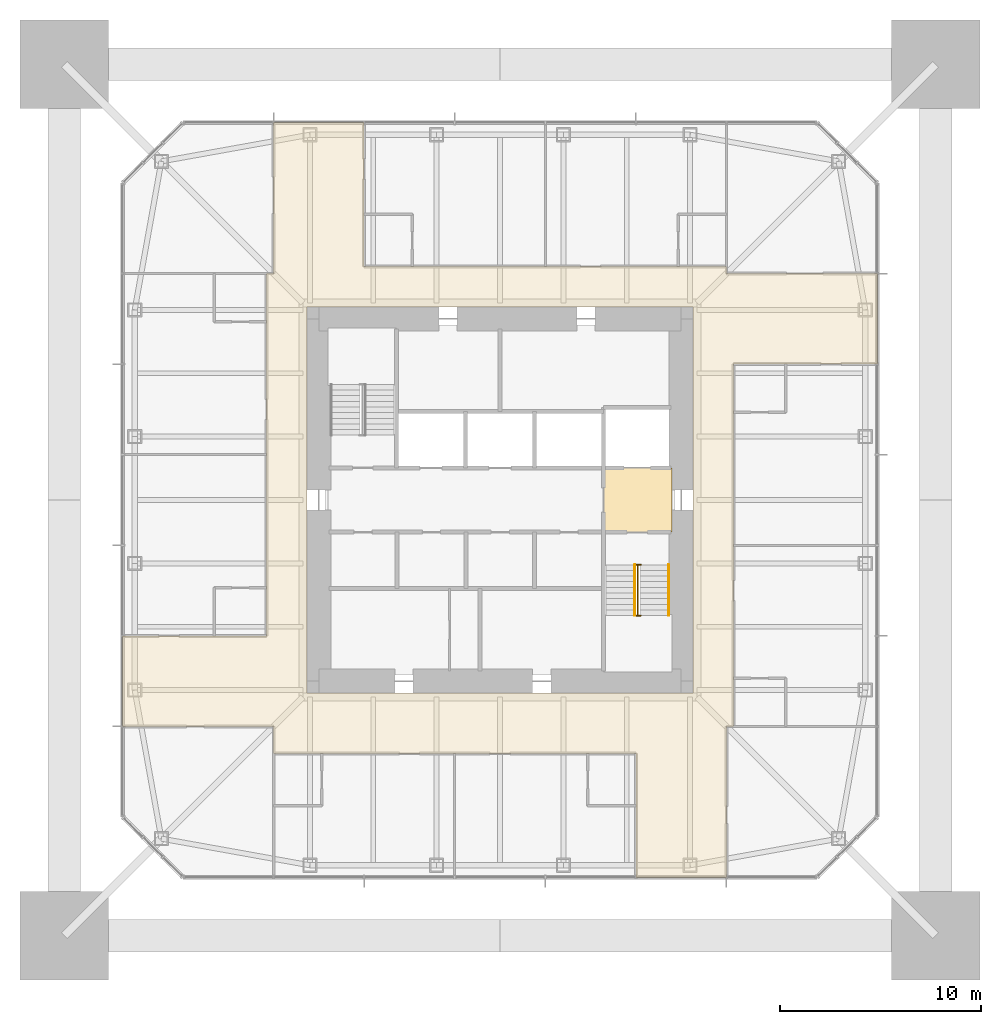
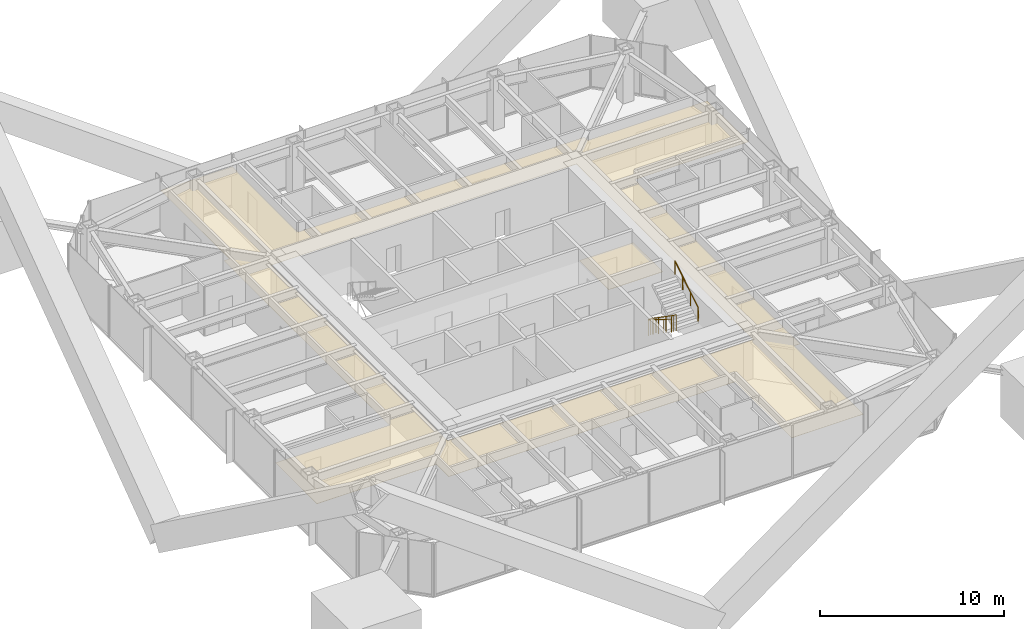
# One storey, part 12 of 13: 3 railings, 2 coverings.
"""IFC4 building model written with IfcOpenShell, lengths in metres."""

import ifcopenshell
import ifcopenshell.guid

model = None  # the IFC model being written
_history = None  # IfcOwnerHistory: only IFC2X3 demands one
_inside = {}  # id of a spatial element -> (the spatial element, [elements in it])
_under = {}  # id of a project, library or spatial element -> (it, [spatial elements below it])
_declared = {}  # id of a project -> (the project, [libraries it declares])
_typed = {}  # id of a type object -> (the type object, [elements of that type])
_made_of = {}  # id of a material, layer set ... -> (it, [elements and type objects made of it])


def new_model(schema):
    """Start an empty IFC model of exactly this schema.

    Asked for "IFC4X3", IfcOpenShell would pick the latest addendum, in which some entities
    have other attributes; the version numbers below select the first issue.
    IFC2X3 requires an IfcOwnerHistory on every rooted entity: one is made here for all.
    """
    global model, _history
    if schema == "IFC4X3":
        model = ifcopenshell.file(schema_version=(4, 3, 0, 0))
    else:
        model = ifcopenshell.file(schema=schema)
    _inside.clear()
    _under.clear()
    _declared.clear()
    _typed.clear()
    _made_of.clear()
    _history = None
    if model.schema == "IFC2X3":
        org = make("IfcOrganization", Name="unknown")
        user = make(
            "IfcPersonAndOrganization",
            ThePerson=make("IfcPerson", FamilyName="unknown"),
            TheOrganization=org,
        )
        app = make(
            "IfcApplication",
            ApplicationDeveloper=org,
            Version="unknown",
            ApplicationFullName="unknown",
            ApplicationIdentifier="unknown",
        )
        _history = make(
            "IfcOwnerHistory",
            OwningUser=user,
            OwningApplication=app,
            ChangeAction="ADDED",
            CreationDate=0,
        )
    return model


def make(cls, **values):
    """One entity of the class cls with the attributes given. An attribute that is None is left unset."""
    return model.create_entity(
        cls, **{name: value for name, value in values.items() if value is not None}
    )


def rooted(cls, **values):
    """An entity with a GlobalId (a new one), such as an element, a storey or a relation."""
    return make(cls, GlobalId=ifcopenshell.guid.new(), OwnerHistory=_history, **values)


def si_unit(unit_type, name, prefix=None):
    """IfcSIUnit, for example si_unit("LENGTHUNIT", "METRE", prefix="MILLI")."""
    return make("IfcSIUnit", UnitType=unit_type, Prefix=prefix, Name=name)


def assignment(units):
    """IfcUnitAssignment: the units of a project."""
    return None if units is None else make("IfcUnitAssignment", Units=units)


def point(xyz):
    """IfcCartesianPoint."""
    return None if xyz is None else make("IfcCartesianPoint", Coordinates=xyz)


def direction(xyz):
    """IfcDirection."""
    return None if xyz is None else make("IfcDirection", DirectionRatios=xyz)


def frame(location, z_axis=None, x_axis=None):
    """IfcAxis2Placement3D, a coordinate frame: its origin and axes. An axis left out is left unset."""
    return make(
        "IfcAxis2Placement3D",
        Location=point(location),
        Axis=direction(z_axis),
        RefDirection=direction(x_axis),
    )


def frame_2d(location, x_axis=None):
    """IfcAxis2Placement2D, a coordinate frame in the plane: its origin and x axis."""
    return make(
        "IfcAxis2Placement2D", Location=point(location), RefDirection=direction(x_axis)
    )


def origin():
    """The frame at (0, 0, 0) with its axes left unset."""
    return frame((0.0, 0.0, 0.0))


def origin_2d():
    """The frame at (0, 0) in the plane with its x axis left unset."""
    return frame_2d((0.0, 0.0))


def place(relative_to, where):
    """IfcLocalPlacement: puts the frame where relative to a parent placement (None: the world)."""
    return make(
        "IfcLocalPlacement", PlacementRelTo=relative_to, RelativePlacement=where
    )


def context(
    kind, dimensions, precision=None, world=None, true_north=None, identifier=None
):
    """IfcGeometricRepresentationContext, for example the 3D "Model" context."""
    return make(
        "IfcGeometricRepresentationContext",
        ContextIdentifier=identifier,
        ContextType=kind,
        CoordinateSpaceDimension=dimensions,
        Precision=precision,
        WorldCoordinateSystem=world,
        TrueNorth=true_north,
    )


def subcontext(parent, identifier, kind, view, scale=None):
    """IfcGeometricRepresentationSubContext, for example "Body" below "Model"."""
    return make(
        "IfcGeometricRepresentationSubContext",
        ContextIdentifier=identifier,
        ContextType=kind,
        ParentContext=parent,
        TargetScale=scale,
        TargetView=view,
    )


def project(units=None, contexts=None):
    """IfcProject with its units and contexts."""
    return rooted(
        "IfcProject",
        Name="project",
        RepresentationContexts=contexts,
        UnitsInContext=assignment(units),
    )


def spatial(cls, under=None, at=None, **own):
    """A site, building, storey or space (cls), placed at a placement, below another one or the project."""
    s = rooted(cls, ObjectPlacement=at, **own)
    if under is not None:
        _under.setdefault(under.id(), (under, []))[1].append(s)
    return s


def polyline(points):
    """IfcPolyline through the points."""
    return make("IfcPolyline", Points=[point(p) for p in points])


def profile(cls, at=None, kind="AREA", **sizes):
    """A parametric profile (cls). Its sizes go by their IFC names, for example OverallWidth=200.0."""
    return make(cls, ProfileType=kind, Position=at, **sizes)


def circle(**sizes):
    """IfcCircleProfileDef."""
    return profile("IfcCircleProfileDef", **sizes)


def outline(outer, holes=None, kind="AREA"):
    """IfcArbitraryClosedProfileDef: a profile drawn as a closed curve; with holes, ...WithVoids."""
    if holes is None:
        return make("IfcArbitraryClosedProfileDef", ProfileType=kind, OuterCurve=outer)
    return make(
        "IfcArbitraryProfileDefWithVoids",
        ProfileType=kind,
        OuterCurve=outer,
        InnerCurves=holes,
    )


def extrude(swept, where, along, depth):
    """IfcExtrudedAreaSolid: the profile swept, set in the frame where, extruded along a direction by depth."""
    return make(
        "IfcExtrudedAreaSolid",
        SweptArea=swept,
        Position=where,
        ExtrudedDirection=direction(along),
        Depth=depth,
    )


def shape(context_of_items, identifier, shape_type, items):
    """IfcShapeRepresentation: the items that make up one representation, for example the "Body"."""
    return make(
        "IfcShapeRepresentation",
        ContextOfItems=context_of_items,
        RepresentationIdentifier=identifier,
        RepresentationType=shape_type,
        Items=items,
    )


def material(Name=None, Category=None):
    """IfcMaterial."""
    return make("IfcMaterial", Name=Name, Category=Category)


def layer(
    of_material, thickness, ventilated=None, Name=None, Category=None, Priority=None
):
    """IfcMaterialLayer: one layer of a wall or slab, of a material (None: an air gap)."""
    return make(
        "IfcMaterialLayer",
        Material=of_material,
        LayerThickness=thickness,
        IsVentilated=ventilated,
        Name=Name,
        Category=Category,
        Priority=Priority,
    )


def layer_set(layers, Name=None):
    """IfcMaterialLayerSet."""
    return make("IfcMaterialLayerSet", MaterialLayers=layers, LayerSetName=Name)


def constituent(of_material, Name=None, Category=None, fraction=None):
    """IfcMaterialConstituent: one of the materials an element consists of."""
    return make(
        "IfcMaterialConstituent",
        Name=Name,
        Material=of_material,
        Fraction=fraction,
        Category=Category,
    )


def constituent_set(constituents=None, Name=None):
    """IfcMaterialConstituentSet."""
    return make(
        "IfcMaterialConstituentSet", Name=Name, MaterialConstituents=constituents
    )


def made_of(thing, what):
    """Note that an element or type object is made of a material, layer set ...; save() writes the relation."""
    if what is not None:
        _made_of.setdefault(what.id(), (what, []))[1].append(thing)
    return thing


def type_object(cls, material=None, **own):
    """A type object (cls), such as IfcWallType, which elements share."""
    return made_of(rooted(cls, **own), material)


def element(
    cls,
    number,
    at=None,
    inside=None,
    cuts=None,
    type_object=None,
    material=None,
    context=None,
    identifier="Body",
    shape_type=None,
    held_by="IfcProductDefinitionShape",
    body=None,
    shapes=None,
    **own,
):
    """One element of the class cls, such as IfcWall. Its Tag is "e" and its number.

    at: its placement. inside: the storey or other place that contains it. cuts: it is an
    opening in that element (IfcRelVoidsElement). A single representation is given by context,
    identifier, shape_type and body (its items); several are given by shapes. held_by: the class
    of the entity that holds the representations. save() writes the other relations.
    """
    e = rooted(cls, Tag="e%d" % number, ObjectPlacement=at, **own)
    if body is not None:
        shapes = [shape(context, identifier, shape_type, body)]
    if shapes is not None:
        e.Representation = make(held_by, Representations=shapes)
    if inside is not None:
        _inside.setdefault(inside.id(), (inside, []))[1].append(e)
    if cuts is not None:
        rooted(
            "IfcRelVoidsElement", RelatingBuildingElement=cuts, RelatedOpeningElement=e
        )
    if type_object is not None:
        _typed.setdefault(type_object.id(), (type_object, []))[1].append(e)
    return made_of(e, material)


def aggregate(whole, parts):
    """IfcRelAggregates: a whole, such as a stair, and the parts it consists of."""
    return rooted("IfcRelAggregates", RelatingObject=whole, RelatedObjects=parts)


def save(model, path):
    """Write the relations noted so far, then the file.

    IfcRelAggregates (storeys below a building ...), IfcRelContainedInSpatialStructure (elements
    in a storey), IfcRelDefinesByType, IfcRelAssociatesMaterial and IfcRelDeclares: one each for
    every whole, place, type object, material and project.
    """
    for whole, parts in _under.values():
        aggregate(whole, parts)
    for where, things in _inside.values():
        rooted(
            "IfcRelContainedInSpatialStructure",
            RelatedElements=things,
            RelatingStructure=where,
        )
    for kind, things in _typed.values():
        rooted("IfcRelDefinesByType", RelatedObjects=things, RelatingType=kind)
    for what, things in _made_of.values():
        rooted("IfcRelAssociatesMaterial", RelatedObjects=things, RelatingMaterial=what)
    for by, libraries in _declared.values():
        rooted("IfcRelDeclares", RelatingContext=by, RelatedDefinitions=libraries)
    model.write(path)


model = new_model("IFC4")

# Units and contexts
model_context = context("Model", 3, precision=1e-05, world=origin(), true_north=direction((0.0, 1.0)))
body_context = subcontext(model_context, "Body", "Model", "MODEL_VIEW")
ifc_project = project(units=[si_unit("LENGTHUNIT", "METRE"), si_unit("AREAUNIT", "SQUARE_METRE"), si_unit("VOLUMEUNIT", "CUBIC_METRE"), si_unit("PLANEANGLEUNIT", "RADIAN"), si_unit("MASSUNIT", "GRAM", prefix="KILO")], contexts=[model_context])

# Site, building, storey
site_placement = place(None, origin())
site = spatial("IfcSite", under=ifc_project, at=site_placement, CompositionType="ELEMENT")
building_placement = place(site_placement, origin())
building = spatial("IfcBuilding", under=site, at=building_placement, Name="Iwan Alto Co-Living Towers", CompositionType="ELEMENT")
storey_placement = place(building_placement, frame((0.0, 0.0, 198.5)))
storey = spatial("IfcBuildingStorey", under=building, at=storey_placement, Name="L54", CompositionType="ELEMENT", Elevation=198.5)

# Covering
ifc_material_1 = material(Name="Mineral fibre acoustic tiles on steel grid", Category="steel")
ifc_layer_1 = layer(ifc_material_1, 0.02001953125)
ifc_layer_set_1 = layer_set([ifc_layer_1], Name="ACOUSTIC TILE CEILING 20")
covering_type_1 = type_object("IfcCoveringType", Name="ACOUSTIC TILE CEILING 20", PredefinedType="CEILING", material=ifc_layer_set_1)
covering_1_placement = place(storey_placement, frame((0.0, 0.0, 2.60009765625)))
element("IfcCovering", 1, at=covering_1_placement, inside=storey, type_object=covering_type_1, Name="Ceiling Firefighting lobby L54", PredefinedType="CEILING", context=body_context, shape_type="SweptSolid", body=[
    extrude(outline(polyline([(5.14990234375, -1.60009765625), (5.14990234375, 1.60009765625), (8.550048828125, 1.60009765625), (8.550048828125, -1.60009765625), (5.14990234375, -1.60009765625)])), origin(), (0.0, 0.0, 1.0), 0.02001953125),
])

# Railings
ifc_material_2 = material(Name="Steel ASTM A500 Gr C", Category="steel")
ifc_constituent_1 = constituent(ifc_material_2, Name="Rails and posts", Category="Framing")
ifc_material_3 = material(Name="Steel ASTM A36", Category="steel")
ifc_constituent_2 = constituent(ifc_material_3, Name="Bar infill", Category="Infill")
ifc_constituent_set = constituent_set(constituents=[ifc_constituent_1, ifc_constituent_2], Name="STAIR GUARD 1100")
railing_type_1 = type_object("IfcRailingType", Name="STAIR GUARD 1100", PredefinedType="GUARDRAIL", material=ifc_constituent_set)
railing_1_placement = place(storey_placement, frame((6.85009765625, -3.219970703125, 0.0)))
element("IfcRailing", 2, at=railing_1_placement, inside=storey, type_object=railing_type_1, Name="Stair T1-S2 well guard L54", PredefinedType="GUARDRAIL", context=body_context, shape_type="SweptSolid", body=[
    extrude(circle(Radius=0.02392578125, at=origin_2d()), frame((0.0, 0.0, 1.076171875), z_axis=(0.0, -0.821372036852, 0.570392826987), x_axis=(1.0, 0.0, 0.0)), (0.0, 0.0, 1.0), 3.068115234375),
    extrude(circle(Radius=0.02392578125, at=origin_2d()), frame((-0.150146484375, 0.0, 1.076171875), z_axis=(1.0, 0.0, 0.0), x_axis=(0.0, 1.0, 0.0)), (0.0, 0.0, 1.0), 0.300048828125),
    extrude(circle(Radius=0.02392578125, at=origin_2d()), frame((-0.150146484375, -2.52001953125, 2.826171875), z_axis=(1.0, 0.0, 0.0), x_axis=(0.0, 1.0, 0.0)), (0.0, 0.0, 1.0), 0.300048828125),
    extrude(circle(Radius=0.02099609375, at=origin_2d()), origin(), (0.0, 0.0, 1.0), 1.052001953125),
    extrude(circle(Radius=0.02099609375, at=origin_2d()), frame((0.0, -0.840087890625, 0.583251953125)), (0.0, 0.0, 1.0), 1.052001953125),
    extrude(circle(Radius=0.02099609375, at=origin_2d()), frame((0.0, -1.679931640625, 1.166748046875)), (0.0, 0.0, 1.0), 1.052001953125),
    extrude(circle(Radius=0.02099609375, at=origin_2d()), frame((0.0, -2.52001953125, 1.75)), (0.0, 0.0, 1.0), 1.052001953125),
    extrude(circle(Radius=0.02099609375, at=origin_2d()), frame((-0.150146484375, 0.0, 0.0)), (0.0, 0.0, 1.0), 1.052001953125),
    extrude(circle(Radius=0.02099609375, at=origin_2d()), frame((0.14990234375, 0.0, 0.0)), (0.0, 0.0, 1.0), 1.052001953125),
    extrude(circle(Radius=0.02099609375, at=origin_2d()), frame((-0.150146484375, -2.52001953125, 1.75)), (0.0, 0.0, 1.0), 1.052001953125),
    extrude(circle(Radius=0.02099609375, at=origin_2d()), frame((0.14990234375, -2.52001953125, 1.75)), (0.0, 0.0, 1.0), 1.052001953125),
])
ifc_material_4 = material(Name="Steel ASTM A500 Gr C", Category="steel")
railing_type_2 = type_object("IfcRailingType", Name="STAIR HANDRAIL 900", PredefinedType="HANDRAIL", material=ifc_material_4)
railing_2_placement = place(storey_placement, frame((6.699951171875, -3.219970703125, 0.175048828125)))
element("IfcRailing", 3, at=railing_2_placement, inside=storey, type_object=railing_type_2, Name="Stair T1-S2 handrail 1 L54", PredefinedType="HANDRAIL", context=body_context, shape_type="SweptSolid", body=[
    extrude(circle(Radius=0.02392578125, at=origin_2d()), frame((0.0, 0.0, 0.8759765625), z_axis=(0.0, -0.848007534815, 0.529984170421), x_axis=(1.0, 0.0, 0.0)), (0.0, 0.0, 1.0), 2.9716796875),
    extrude(circle(Radius=0.02099609375, at=origin_2d()), origin(), (0.0, 0.0, 1.0), 0.851806640625),
    extrude(circle(Radius=0.02099609375, at=origin_2d()), frame((0.0, -0.840087890625, 0.52490234375)), (0.0, 0.0, 1.0), 0.851806640625),
    extrude(circle(Radius=0.02099609375, at=origin_2d()), frame((0.0, -1.679931640625, 1.050048828125)), (0.0, 0.0, 1.0), 0.851806640625),
    extrude(circle(Radius=0.02099609375, at=origin_2d()), frame((0.0, -2.52001953125, 1.574951171875)), (0.0, 0.0, 1.0), 0.851806640625),
])
railing_3_placement = place(storey_placement, frame((8.3798828125, -5.739990234375, 1.925048828125)))
element("IfcRailing", 4, at=railing_3_placement, inside=storey, type_object=railing_type_2, Name="Stair T1-S2 handrail 2 L54", PredefinedType="HANDRAIL", context=body_context, shape_type="SweptSolid", body=[
    extrude(circle(Radius=0.02392578125, at=origin_2d()), frame((0.0, 0.0, 0.8759765625), z_axis=(0.0, 0.848007534815, 0.529984170421), x_axis=(-1.0, 0.0, 0.0)), (0.0, 0.0, 1.0), 2.9716796875),
    extrude(circle(Radius=0.02099609375, at=origin_2d()), origin(), (0.0, 0.0, 1.0), 0.851806640625),
    extrude(circle(Radius=0.02099609375, at=origin_2d()), frame((0.0, 0.840087890625, 0.52490234375)), (0.0, 0.0, 1.0), 0.851806640625),
    extrude(circle(Radius=0.02099609375, at=origin_2d()), frame((0.0, 1.679931640625, 1.050048828125)), (0.0, 0.0, 1.0), 0.851806640625),
    extrude(circle(Radius=0.02099609375, at=origin_2d()), frame((0.0, 2.52001953125, 1.574951171875)), (0.0, 0.0, 1.0), 0.851806640625),
])

# Covering
ifc_material_5 = material(Name="Gypsum plasterboard on steel grid", Category="steel")
ifc_layer_2 = layer(ifc_material_5, 0.014892578125)
ifc_layer_set_2 = layer_set([ifc_layer_2], Name="SUSPENDED PLASTERBOARD CEILING 15")
covering_type_2 = type_object("IfcCoveringType", Name="SUSPENDED PLASTERBOARD CEILING 15", PredefinedType="CEILING", material=ifc_layer_set_2)
covering_2_placement = place(storey_placement, frame((0.0, 0.0, 2.60009765625)))
element("IfcCovering", 5, at=covering_2_placement, inside=storey, type_object=covering_type_2, Name="Ceiling Corridor L54", PredefinedType="CEILING", context=body_context, shape_type="SweptSolid", body=[
    extrude(outline(polyline([(-18.75, -6.75), (-11.60009765625, -6.75), (-11.60009765625, 11.25), (-11.25, 11.25), (-11.25, 11.60009765625), (-11.25, 18.75), (-6.75, 18.75), (-6.75, 11.60009765625), (11.25, 11.60009765625), (11.25, 11.25), (11.60009765625, 11.25), (18.75, 11.25), (18.75, 6.75), (11.60009765625, 6.75), (11.60009765625, -11.25), (11.25, -11.25), (11.25, -12.60009765625), (11.25, -18.75), (6.75, -18.75), (6.75, -12.60009765625), (-11.25, -12.60009765625), (-11.25, -11.25), (-11.60009765625, -11.25), (-18.75, -11.25), (-18.75, -6.75)]), holes=[polyline([(9.60009765625, 9.60009765625), (-9.60009765625, 9.60009765625), (-9.60009765625, -9.60009765625), (9.60009765625, -9.60009765625), (9.60009765625, 9.60009765625)])]), origin(), (0.0, 0.0, 1.0), 0.014892578125),
])

save(model, "model.ifc")
